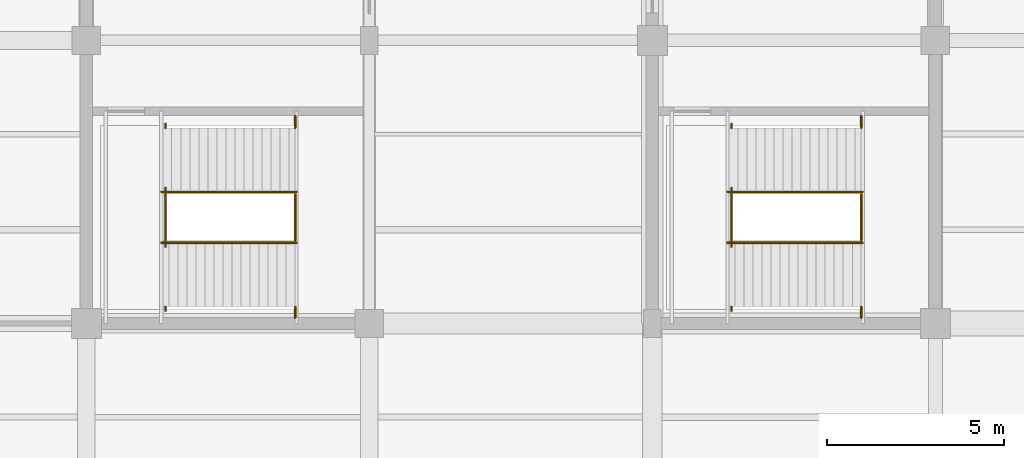
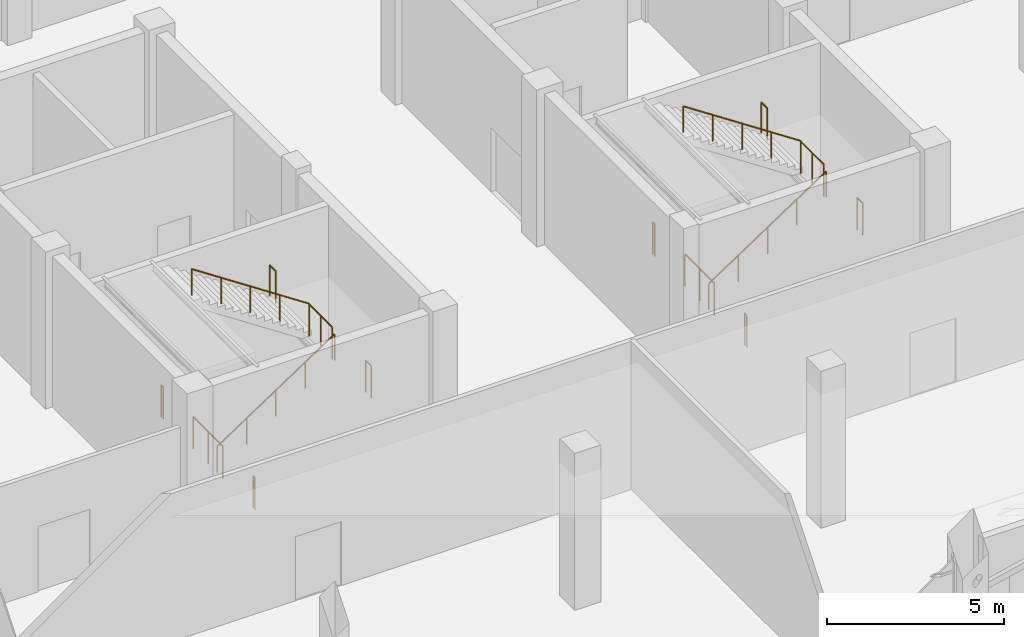
# One storey, part 117 of 123: 16 railings, 2 elements without a shape of their own.
"""IFC4 building model written with IfcOpenShell, lengths in metres."""

from ifc_helpers import new_model, si_unit, direction, frame, origin, origin_2d, place, context, subcontext, project, spatial, circle, extrude, material, layer, layer_set, type_object, element, aggregate, save


model = new_model("IFC4")

# Units and contexts
model_context = context("Model", 3, precision=1e-05, world=origin(), true_north=direction((0.0, 1.0)))
body_context = subcontext(model_context, "Body", "Model", "MODEL_VIEW")
ifc_project = project(units=[si_unit("LENGTHUNIT", "METRE"), si_unit("AREAUNIT", "SQUARE_METRE"), si_unit("VOLUMEUNIT", "CUBIC_METRE"), si_unit("PLANEANGLEUNIT", "RADIAN"), si_unit("MASSUNIT", "GRAM", prefix="KILO")], contexts=[model_context])

# Site, building, storey
site_placement = place(None, origin())
site = spatial("IfcSite", under=ifc_project, at=site_placement, CompositionType="ELEMENT")
building_placement = place(site_placement, origin())
building = spatial("IfcBuilding", under=site, at=building_placement, Name="Tenunan Teduh Sports Hall", CompositionType="ELEMENT")
storey_placement = place(building_placement, origin())
storey = spatial("IfcBuildingStorey", under=building, at=storey_placement, Name="L00", CompositionType="ELEMENT", Elevation=0.0)

# Railings
ifc_material_1 = material(Name="Galvanised and powder-coated steel", Category="steel")
ifc_layer_1 = layer(ifc_material_1, 0.070068359375)
ifc_layer_set_1 = layer_set([ifc_layer_1], Name="Galvanised and powder-coated steel")
railing_type_1 = type_object("IfcRailingType", Name="RLG-EXT-GRD", PredefinedType="GUARDRAIL", material=ifc_layer_set_1)
railing_1_placement = place(storey_placement, frame((16.239990234375, 96.169921875, 0.0)))
element("IfcRailing", 1, at=railing_1_placement, inside=storey, type_object=railing_type_1, Name="RLG-STW-WLND-W1-B1", PredefinedType="GUARDRAIL", context=body_context, shape_type="SweptSolid", body=[
    extrude(circle(Radius=0.02392578125, at=origin_2d()), frame((0.0, 0.0, 1.09619140625), z_axis=(0.0, 1.0, 0.0), x_axis=(-1.0, 0.0, 0.0)), (0.0, 0.0, 1.0), 1.66015625),
    extrude(circle(Radius=0.02099609375, at=origin_2d()), origin(), (0.0, 0.0, 1.0), 1.072021484375),
    extrude(circle(Radius=0.02099609375, at=origin_2d()), frame((0.0, 0.830078125, 0.0)), (0.0, 0.0, 1.0), 1.072021484375),
    extrude(circle(Radius=0.02099609375, at=origin_2d()), frame((0.0, 1.66015625, 0.0)), (0.0, 0.0, 1.0), 1.072021484375),
])
for number, where, name in (
    (2, (16.239990234375, 94.360107421875, 0.0), "RLG-STW-WLNDS-W1-B1"),
    (3, (16.239990234375, 99.530029296875, 0.0), "RLG-STW-WLNDN-W1-B1"),
):
    element("IfcRailing", number, at=place(storey_placement, frame(where)), inside=storey, type_object=railing_type_1, Name=name, PredefinedType="GUARDRAIL", context=body_context, shape_type="SweptSolid", body=[
        extrude(circle(Radius=0.02392578125, at=origin_2d()), frame((0.0, 0.0, 1.09619140625), z_axis=(0.0, 1.0, 0.0), x_axis=(-1.0, 0.0, 0.0)), (0.0, 0.0, 1.0), 0.10986328125),
        extrude(circle(Radius=0.02099609375, at=origin_2d()), origin(), (0.0, 0.0, 1.0), 1.072021484375),
        extrude(circle(Radius=0.02099609375, at=origin_2d()), frame((0.0, 0.10986328125, 0.0)), (0.0, 0.0, 1.0), 1.072021484375),
    ])
railing_2_placement = place(storey_placement, frame((19.905029296875, 96.35009765625, 2.699951171875)))
element("IfcRailing", 4, at=railing_2_placement, inside=storey, type_object=railing_type_1, Name="RLG-STW-MID-W1-L00", PredefinedType="GUARDRAIL", context=body_context, shape_type="SweptSolid", body=[
    extrude(circle(Radius=0.02392578125, at=origin_2d()), frame((0.0, 0.0, 1.09619140625), z_axis=(0.0, 1.0, 0.0), x_axis=(-1.0, 0.0, 0.0)), (0.0, 0.0, 1.0), 1.2998046875),
    extrude(circle(Radius=0.02099609375, at=origin_2d()), origin(), (0.0, 0.0, 1.0), 1.072021484375),
    extrude(circle(Radius=0.02099609375, at=origin_2d()), frame((0.0, 0.64990234375, 0.0)), (0.0, 0.0, 1.0), 1.072021484375),
    extrude(circle(Radius=0.02099609375, at=origin_2d()), frame((0.0, 1.2998046875, 0.0)), (0.0, 0.0, 1.0), 1.072021484375),
])
railing_3_placement = place(storey_placement, frame((19.905029296875, 94.159912109375, 2.699951171875)))
element("IfcRailing", 5, at=railing_3_placement, inside=storey, type_object=railing_type_1, Name="RLG-STW-MIDS-W1-L00", PredefinedType="GUARDRAIL", context=body_context, shape_type="SweptSolid", body=[
    extrude(circle(Radius=0.02392578125, at=origin_2d()), frame((0.0, 0.0, 1.09619140625), z_axis=(0.0, 1.0, 0.0), x_axis=(-1.0, 0.0, 0.0)), (0.0, 0.0, 1.0), 0.31005859375),
    extrude(circle(Radius=0.02099609375, at=origin_2d()), origin(), (0.0, 0.0, 1.0), 1.072021484375),
    extrude(circle(Radius=0.02099609375, at=origin_2d()), frame((0.0, 0.31005859375, 0.0)), (0.0, 0.0, 1.0), 1.072021484375),
])
railing_4_placement = place(storey_placement, frame((19.905029296875, 99.530029296875, 2.699951171875)))
element("IfcRailing", 6, at=railing_4_placement, inside=storey, type_object=railing_type_1, Name="RLG-STW-MIDN-W1-L00", PredefinedType="GUARDRAIL", context=body_context, shape_type="SweptSolid", body=[
    extrude(circle(Radius=0.02392578125, at=origin_2d()), frame((0.0, 0.0, 1.09619140625), z_axis=(0.0, 1.0, 0.0), x_axis=(-1.0, 0.0, 0.0)), (0.0, 0.0, 1.0), 0.340087890625),
    extrude(circle(Radius=0.02099609375, at=origin_2d()), origin(), (0.0, 0.0, 1.0), 1.072021484375),
    extrude(circle(Radius=0.02099609375, at=origin_2d()), frame((0.0, 0.340087890625, 0.0)), (0.0, 0.0, 1.0), 1.072021484375),
])
railing_5_placement = place(storey_placement, frame((32.239990234375, 96.169921875, 0.0)))
element("IfcRailing", 7, at=railing_5_placement, inside=storey, type_object=railing_type_1, Name="RLG-STW-WLND-W2-B1", PredefinedType="GUARDRAIL", context=body_context, shape_type="SweptSolid", body=[
    extrude(circle(Radius=0.02392578125, at=origin_2d()), frame((0.0, 0.0, 1.09619140625), z_axis=(0.0, 1.0, 0.0), x_axis=(-1.0, 0.0, 0.0)), (0.0, 0.0, 1.0), 1.66015625),
    extrude(circle(Radius=0.02099609375, at=origin_2d()), origin(), (0.0, 0.0, 1.0), 1.072021484375),
    extrude(circle(Radius=0.02099609375, at=origin_2d()), frame((0.0, 0.830078125, 0.0)), (0.0, 0.0, 1.0), 1.072021484375),
    extrude(circle(Radius=0.02099609375, at=origin_2d()), frame((0.0, 1.66015625, 0.0)), (0.0, 0.0, 1.0), 1.072021484375),
])
for number, where, name in (
    (8, (32.239990234375, 94.360107421875, 0.0), "RLG-STW-WLNDS-W2-B1"),
    (9, (32.239990234375, 99.530029296875, 0.0), "RLG-STW-WLNDN-W2-B1"),
):
    element("IfcRailing", number, at=place(storey_placement, frame(where)), inside=storey, type_object=railing_type_1, Name=name, PredefinedType="GUARDRAIL", context=body_context, shape_type="SweptSolid", body=[
        extrude(circle(Radius=0.02392578125, at=origin_2d()), frame((0.0, 0.0, 1.09619140625), z_axis=(0.0, 1.0, 0.0), x_axis=(-1.0, 0.0, 0.0)), (0.0, 0.0, 1.0), 0.10986328125),
        extrude(circle(Radius=0.02099609375, at=origin_2d()), origin(), (0.0, 0.0, 1.0), 1.072021484375),
        extrude(circle(Radius=0.02099609375, at=origin_2d()), frame((0.0, 0.10986328125, 0.0)), (0.0, 0.0, 1.0), 1.072021484375),
    ])
railing_6_placement = place(storey_placement, frame((35.905029296875, 96.35009765625, 2.699951171875)))
element("IfcRailing", 10, at=railing_6_placement, inside=storey, type_object=railing_type_1, Name="RLG-STW-MID-W2-L00", PredefinedType="GUARDRAIL", context=body_context, shape_type="SweptSolid", body=[
    extrude(circle(Radius=0.02392578125, at=origin_2d()), frame((0.0, 0.0, 1.09619140625), z_axis=(0.0, 1.0, 0.0), x_axis=(-1.0, 0.0, 0.0)), (0.0, 0.0, 1.0), 1.2998046875),
    extrude(circle(Radius=0.02099609375, at=origin_2d()), origin(), (0.0, 0.0, 1.0), 1.072021484375),
    extrude(circle(Radius=0.02099609375, at=origin_2d()), frame((0.0, 0.64990234375, 0.0)), (0.0, 0.0, 1.0), 1.072021484375),
    extrude(circle(Radius=0.02099609375, at=origin_2d()), frame((0.0, 1.2998046875, 0.0)), (0.0, 0.0, 1.0), 1.072021484375),
])
railing_7_placement = place(storey_placement, frame((35.905029296875, 94.159912109375, 2.699951171875)))
element("IfcRailing", 11, at=railing_7_placement, inside=storey, type_object=railing_type_1, Name="RLG-STW-MIDS-W2-L00", PredefinedType="GUARDRAIL", context=body_context, shape_type="SweptSolid", body=[
    extrude(circle(Radius=0.02392578125, at=origin_2d()), frame((0.0, 0.0, 1.09619140625), z_axis=(0.0, 1.0, 0.0), x_axis=(-1.0, 0.0, 0.0)), (0.0, 0.0, 1.0), 0.31005859375),
    extrude(circle(Radius=0.02099609375, at=origin_2d()), origin(), (0.0, 0.0, 1.0), 1.072021484375),
    extrude(circle(Radius=0.02099609375, at=origin_2d()), frame((0.0, 0.31005859375, 0.0)), (0.0, 0.0, 1.0), 1.072021484375),
])
railing_8_placement = place(storey_placement, frame((35.905029296875, 99.530029296875, 2.699951171875)))
element("IfcRailing", 12, at=railing_8_placement, inside=storey, type_object=railing_type_1, Name="RLG-STW-MIDN-W2-L00", PredefinedType="GUARDRAIL", context=body_context, shape_type="SweptSolid", body=[
    extrude(circle(Radius=0.02392578125, at=origin_2d()), frame((0.0, 0.0, 1.09619140625), z_axis=(0.0, 1.0, 0.0), x_axis=(-1.0, 0.0, 0.0)), (0.0, 0.0, 1.0), 0.340087890625),
    extrude(circle(Radius=0.02099609375, at=origin_2d()), origin(), (0.0, 0.0, 1.0), 1.072021484375),
    extrude(circle(Radius=0.02099609375, at=origin_2d()), frame((0.0, 0.340087890625, 0.0)), (0.0, 0.0, 1.0), 1.072021484375),
])

# Stair, railings
ifc_material_2 = material(Name="Precast concrete C40/50", Category="concrete")
stair_type = type_object("IfcStairType", Name="STR-CORE-54", PredefinedType="HALF_TURN_STAIR", material=ifc_material_2)
stair_1_placement = place(storey_placement, origin())
stair_1 = element("IfcStair", 13, at=stair_1_placement, inside=storey, type_object=stair_type, Name="STR-W1-L00", PredefinedType="HALF_TURN_STAIR")
ifc_material_3 = material(Name="Brushed stainless steel", Category="steel")
ifc_layer_2 = layer(ifc_material_3, 0.050048828125)
ifc_layer_set_2 = layer_set([ifc_layer_2], Name="Brushed stainless steel")
railing_type_2 = type_object("IfcRailingType", Name="RLG-STAIR-HR", PredefinedType="HANDRAIL", material=ifc_layer_set_2)
railing_9_placement = place(storey_placement, frame((16.1201171875, 96.280029296875, 0.168701171875)))
railing_9 = element("IfcRailing", 14, at=railing_9_placement, type_object=railing_type_2, Name="STR-W1-L00-HR1", PredefinedType="HANDRAIL", context=body_context, shape_type="SweptSolid", body=[
    extrude(circle(Radius=0.02392578125, at=origin_2d()), frame((0.0, 0.0, 0.89599609375), z_axis=(0.833928963496, 0.0, 0.551871800187), x_axis=(0.0, 1.0, 0.0)), (0.0, 0.0, 1.0), 4.586669921875),
    extrude(circle(Radius=0.02099609375, at=origin_2d()), origin(), (0.0, 0.0, 1.0), 0.871826171875),
    extrude(circle(Radius=0.02099609375, at=origin_2d()), frame((0.956298828125, 0.0, 0.6328125)), (0.0, 0.0, 1.0), 0.871826171875),
    extrude(circle(Radius=0.02099609375, at=origin_2d()), frame((1.91259765625, 0.0, 1.265625)), (0.0, 0.0, 1.0), 0.871826171875),
    extrude(circle(Radius=0.02099609375, at=origin_2d()), frame((2.86865234375, 0.0, 1.8984375)), (0.0, 0.0, 1.0), 0.871826171875),
    extrude(circle(Radius=0.02099609375, at=origin_2d()), frame((3.824951171875, 0.0, 2.53125)), (0.0, 0.0, 1.0), 0.871826171875),
])
railing_10_placement = place(storey_placement, frame((19.945068359375, 97.719970703125, 2.86865234375)))
railing_10 = element("IfcRailing", 15, at=railing_10_placement, type_object=railing_type_2, Name="STR-W1-L00-HR2", PredefinedType="HANDRAIL", context=body_context, shape_type="SweptSolid", body=[
    extrude(circle(Radius=0.02392578125, at=origin_2d()), frame((0.0, 0.0, 0.89599609375), z_axis=(-0.833928963496, 0.0, 0.551871800187), x_axis=(0.0, -1.0, 0.0)), (0.0, 0.0, 1.0), 4.586669921875),
    extrude(circle(Radius=0.02099609375, at=origin_2d()), origin(), (0.0, 0.0, 1.0), 0.871826171875),
    extrude(circle(Radius=0.02099609375, at=origin_2d()), frame((-0.956298828125, 0.0, 0.6328125)), (0.0, 0.0, 1.0), 0.871826171875),
    extrude(circle(Radius=0.02099609375, at=origin_2d()), frame((-1.91259765625, 0.0, 1.265625)), (0.0, 0.0, 1.0), 0.871826171875),
    extrude(circle(Radius=0.02099609375, at=origin_2d()), frame((-2.86865234375, 0.0, 1.8984375)), (0.0, 0.0, 1.0), 0.871826171875),
    extrude(circle(Radius=0.02099609375, at=origin_2d()), frame((-3.824951171875, 0.0, 2.53125)), (0.0, 0.0, 1.0), 0.871826171875),
])
aggregate(stair_1, [railing_9, railing_10])

stair_2_placement = place(storey_placement, origin())
stair_2 = element("IfcStair", 16, at=stair_2_placement, inside=storey, type_object=stair_type, Name="STR-W2-L00", PredefinedType="HALF_TURN_STAIR")
railing_11_placement = place(storey_placement, frame((32.1201171875, 96.280029296875, 0.168701171875)))
railing_11 = element("IfcRailing", 17, at=railing_11_placement, type_object=railing_type_2, Name="STR-W2-L00-HR1", PredefinedType="HANDRAIL", context=body_context, shape_type="SweptSolid", body=[
    extrude(circle(Radius=0.02392578125, at=origin_2d()), frame((0.0, 0.0, 0.89599609375), z_axis=(0.833928963496, 0.0, 0.551871800187), x_axis=(0.0, 1.0, 0.0)), (0.0, 0.0, 1.0), 4.586669921875),
    extrude(circle(Radius=0.02099609375, at=origin_2d()), origin(), (0.0, 0.0, 1.0), 0.871826171875),
    extrude(circle(Radius=0.02099609375, at=origin_2d()), frame((0.956298828125, 0.0, 0.6328125)), (0.0, 0.0, 1.0), 0.871826171875),
    extrude(circle(Radius=0.02099609375, at=origin_2d()), frame((1.91259765625, 0.0, 1.265625)), (0.0, 0.0, 1.0), 0.871826171875),
    extrude(circle(Radius=0.02099609375, at=origin_2d()), frame((2.86865234375, 0.0, 1.8984375)), (0.0, 0.0, 1.0), 0.871826171875),
    extrude(circle(Radius=0.02099609375, at=origin_2d()), frame((3.824951171875, 0.0, 2.53125)), (0.0, 0.0, 1.0), 0.871826171875),
])
railing_12_placement = place(storey_placement, frame((35.945068359375, 97.719970703125, 2.86865234375)))
railing_12 = element("IfcRailing", 18, at=railing_12_placement, type_object=railing_type_2, Name="STR-W2-L00-HR2", PredefinedType="HANDRAIL", context=body_context, shape_type="SweptSolid", body=[
    extrude(circle(Radius=0.02392578125, at=origin_2d()), frame((0.0, 0.0, 0.89599609375), z_axis=(-0.833928963496, 0.0, 0.551871800187), x_axis=(0.0, -1.0, 0.0)), (0.0, 0.0, 1.0), 4.586669921875),
    extrude(circle(Radius=0.02099609375, at=origin_2d()), origin(), (0.0, 0.0, 1.0), 0.871826171875),
    extrude(circle(Radius=0.02099609375, at=origin_2d()), frame((-0.956298828125, 0.0, 0.6328125)), (0.0, 0.0, 1.0), 0.871826171875),
    extrude(circle(Radius=0.02099609375, at=origin_2d()), frame((-1.91259765625, 0.0, 1.265625)), (0.0, 0.0, 1.0), 0.871826171875),
    extrude(circle(Radius=0.02099609375, at=origin_2d()), frame((-2.86865234375, 0.0, 1.8984375)), (0.0, 0.0, 1.0), 0.871826171875),
    extrude(circle(Radius=0.02099609375, at=origin_2d()), frame((-3.824951171875, 0.0, 2.53125)), (0.0, 0.0, 1.0), 0.871826171875),
])
aggregate(stair_2, [railing_11, railing_12])

save(model, "model.ifc")
